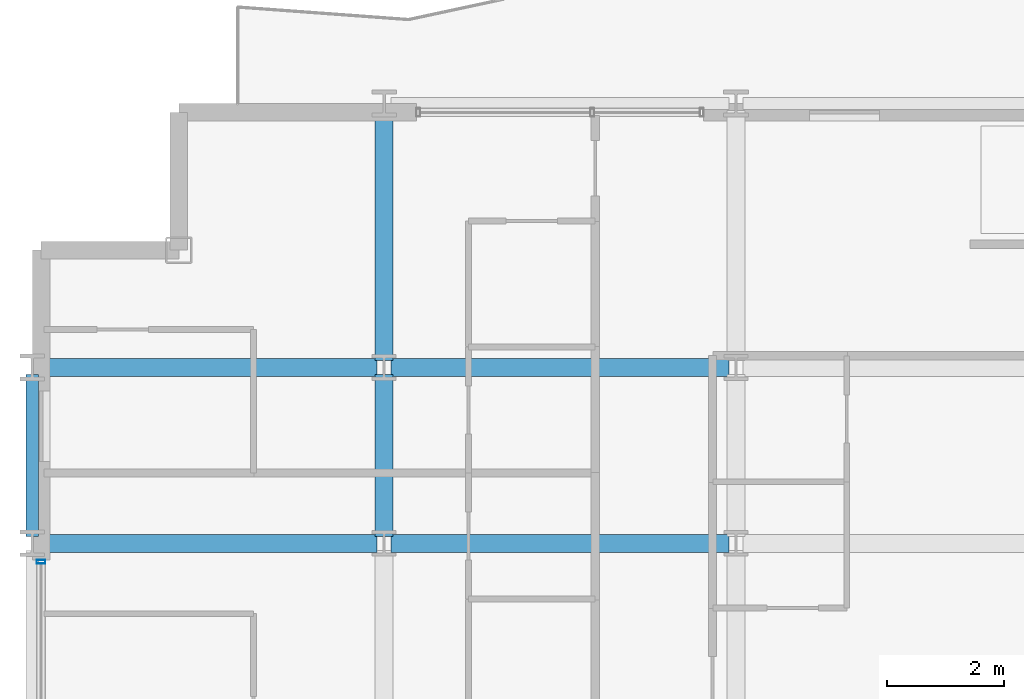
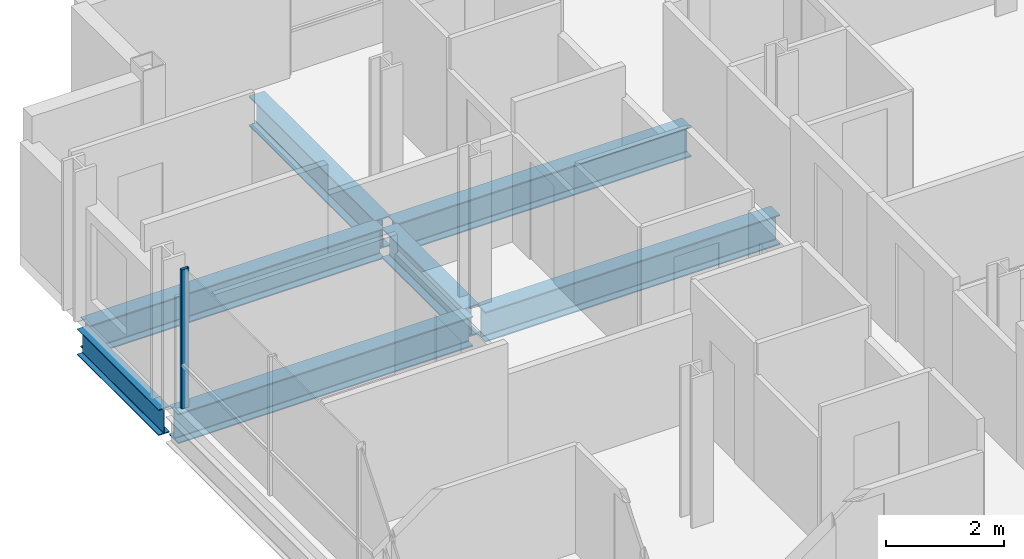
# One storey, part 7 of 41: 7 beams, 1 member, 1 element without a shape of its own.
"""IFC4 building model written with IfcOpenShell, lengths in metres."""

import ifcopenshell
import ifcopenshell.guid

model = None  # the IFC model being written
_history = None  # IfcOwnerHistory: only IFC2X3 demands one
_inside = {}  # id of a spatial element -> (the spatial element, [elements in it])
_under = {}  # id of a project, library or spatial element -> (it, [spatial elements below it])
_declared = {}  # id of a project -> (the project, [libraries it declares])
_typed = {}  # id of a type object -> (the type object, [elements of that type])
_made_of = {}  # id of a material, layer set ... -> (it, [elements and type objects made of it])


def new_model(schema):
    """Start an empty IFC model of exactly this schema.

    Asked for "IFC4X3", IfcOpenShell would pick the latest addendum, in which some entities
    have other attributes; the version numbers below select the first issue.
    IFC2X3 requires an IfcOwnerHistory on every rooted entity: one is made here for all.
    """
    global model, _history
    if schema == "IFC4X3":
        model = ifcopenshell.file(schema_version=(4, 3, 0, 0))
    else:
        model = ifcopenshell.file(schema=schema)
    _inside.clear()
    _under.clear()
    _declared.clear()
    _typed.clear()
    _made_of.clear()
    _history = None
    if model.schema == "IFC2X3":
        org = make("IfcOrganization", Name="unknown")
        user = make(
            "IfcPersonAndOrganization",
            ThePerson=make("IfcPerson", FamilyName="unknown"),
            TheOrganization=org,
        )
        app = make(
            "IfcApplication",
            ApplicationDeveloper=org,
            Version="unknown",
            ApplicationFullName="unknown",
            ApplicationIdentifier="unknown",
        )
        _history = make(
            "IfcOwnerHistory",
            OwningUser=user,
            OwningApplication=app,
            ChangeAction="ADDED",
            CreationDate=0,
        )
    return model


def make(cls, **values):
    """One entity of the class cls with the attributes given. An attribute that is None is left unset."""
    return model.create_entity(
        cls, **{name: value for name, value in values.items() if value is not None}
    )


def rooted(cls, **values):
    """An entity with a GlobalId (a new one), such as an element, a storey or a relation."""
    return make(cls, GlobalId=ifcopenshell.guid.new(), OwnerHistory=_history, **values)


def si_unit(unit_type, name, prefix=None):
    """IfcSIUnit, for example si_unit("LENGTHUNIT", "METRE", prefix="MILLI")."""
    return make("IfcSIUnit", UnitType=unit_type, Prefix=prefix, Name=name)


def assignment(units):
    """IfcUnitAssignment: the units of a project."""
    return None if units is None else make("IfcUnitAssignment", Units=units)


def point(xyz):
    """IfcCartesianPoint."""
    return None if xyz is None else make("IfcCartesianPoint", Coordinates=xyz)


def direction(xyz):
    """IfcDirection."""
    return None if xyz is None else make("IfcDirection", DirectionRatios=xyz)


def frame(location, z_axis=None, x_axis=None):
    """IfcAxis2Placement3D, a coordinate frame: its origin and axes. An axis left out is left unset."""
    return make(
        "IfcAxis2Placement3D",
        Location=point(location),
        Axis=direction(z_axis),
        RefDirection=direction(x_axis),
    )


def frame_2d(location, x_axis=None):
    """IfcAxis2Placement2D, a coordinate frame in the plane: its origin and x axis."""
    return make(
        "IfcAxis2Placement2D", Location=point(location), RefDirection=direction(x_axis)
    )


def origin():
    """The frame at (0, 0, 0) with its axes left unset."""
    return frame((0.0, 0.0, 0.0))


def origin_2d():
    """The frame at (0, 0) in the plane with its x axis left unset."""
    return frame_2d((0.0, 0.0))


def place(relative_to, where):
    """IfcLocalPlacement: puts the frame where relative to a parent placement (None: the world)."""
    return make(
        "IfcLocalPlacement", PlacementRelTo=relative_to, RelativePlacement=where
    )


def context(
    kind, dimensions, precision=None, world=None, true_north=None, identifier=None
):
    """IfcGeometricRepresentationContext, for example the 3D "Model" context."""
    return make(
        "IfcGeometricRepresentationContext",
        ContextIdentifier=identifier,
        ContextType=kind,
        CoordinateSpaceDimension=dimensions,
        Precision=precision,
        WorldCoordinateSystem=world,
        TrueNorth=true_north,
    )


def subcontext(parent, identifier, kind, view, scale=None):
    """IfcGeometricRepresentationSubContext, for example "Body" below "Model"."""
    return make(
        "IfcGeometricRepresentationSubContext",
        ContextIdentifier=identifier,
        ContextType=kind,
        ParentContext=parent,
        TargetScale=scale,
        TargetView=view,
    )


def project(units=None, contexts=None):
    """IfcProject with its units and contexts."""
    return rooted(
        "IfcProject",
        Name="project",
        RepresentationContexts=contexts,
        UnitsInContext=assignment(units),
    )


def spatial(cls, under=None, at=None, **own):
    """A site, building, storey or space (cls), placed at a placement, below another one or the project."""
    s = rooted(cls, ObjectPlacement=at, **own)
    if under is not None:
        _under.setdefault(under.id(), (under, []))[1].append(s)
    return s


def profile(cls, at=None, kind="AREA", **sizes):
    """A parametric profile (cls). Its sizes go by their IFC names, for example OverallWidth=200.0."""
    return make(cls, ProfileType=kind, Position=at, **sizes)


def hollow_rectangle(**sizes):
    """IfcRectangleHollowProfileDef."""
    return profile("IfcRectangleHollowProfileDef", **sizes)


def i_section(**sizes):
    """IfcIShapeProfileDef."""
    return profile("IfcIShapeProfileDef", **sizes)


def extrude(swept, where, along, depth):
    """IfcExtrudedAreaSolid: the profile swept, set in the frame where, extruded along a direction by depth."""
    return make(
        "IfcExtrudedAreaSolid",
        SweptArea=swept,
        Position=where,
        ExtrudedDirection=direction(along),
        Depth=depth,
    )


def shape(context_of_items, identifier, shape_type, items):
    """IfcShapeRepresentation: the items that make up one representation, for example the "Body"."""
    return make(
        "IfcShapeRepresentation",
        ContextOfItems=context_of_items,
        RepresentationIdentifier=identifier,
        RepresentationType=shape_type,
        Items=items,
    )


def material(Name=None, Category=None):
    """IfcMaterial."""
    return make("IfcMaterial", Name=Name, Category=Category)


def layer(
    of_material, thickness, ventilated=None, Name=None, Category=None, Priority=None
):
    """IfcMaterialLayer: one layer of a wall or slab, of a material (None: an air gap)."""
    return make(
        "IfcMaterialLayer",
        Material=of_material,
        LayerThickness=thickness,
        IsVentilated=ventilated,
        Name=Name,
        Category=Category,
        Priority=Priority,
    )


def layer_set(layers, Name=None):
    """IfcMaterialLayerSet."""
    return make("IfcMaterialLayerSet", MaterialLayers=layers, LayerSetName=Name)


def material_profile(
    of_material, cross_section, Name=None, Category=None, Priority=None
):
    """IfcMaterialProfile: a cross section and its material."""
    return make(
        "IfcMaterialProfile",
        Name=Name,
        Material=of_material,
        Profile=cross_section,
        Priority=Priority,
        Category=Category,
    )


def profile_set(profiles, Name=None, composite=None):
    """IfcMaterialProfileSet."""
    return make(
        "IfcMaterialProfileSet",
        Name=Name,
        MaterialProfiles=profiles,
        CompositeProfile=composite,
    )


def made_of(thing, what):
    """Note that an element or type object is made of a material, layer set ...; save() writes the relation."""
    if what is not None:
        _made_of.setdefault(what.id(), (what, []))[1].append(thing)
    return thing


def type_object(cls, material=None, **own):
    """A type object (cls), such as IfcWallType, which elements share."""
    return made_of(rooted(cls, **own), material)


def element(
    cls,
    number,
    at=None,
    inside=None,
    cuts=None,
    type_object=None,
    material=None,
    context=None,
    identifier="Body",
    shape_type=None,
    held_by="IfcProductDefinitionShape",
    body=None,
    shapes=None,
    **own,
):
    """One element of the class cls, such as IfcWall. Its Tag is "e" and its number.

    at: its placement. inside: the storey or other place that contains it. cuts: it is an
    opening in that element (IfcRelVoidsElement). A single representation is given by context,
    identifier, shape_type and body (its items); several are given by shapes. held_by: the class
    of the entity that holds the representations. save() writes the other relations.
    """
    e = rooted(cls, Tag="e%d" % number, ObjectPlacement=at, **own)
    if body is not None:
        shapes = [shape(context, identifier, shape_type, body)]
    if shapes is not None:
        e.Representation = make(held_by, Representations=shapes)
    if inside is not None:
        _inside.setdefault(inside.id(), (inside, []))[1].append(e)
    if cuts is not None:
        rooted(
            "IfcRelVoidsElement", RelatingBuildingElement=cuts, RelatedOpeningElement=e
        )
    if type_object is not None:
        _typed.setdefault(type_object.id(), (type_object, []))[1].append(e)
    return made_of(e, material)


def aggregate(whole, parts):
    """IfcRelAggregates: a whole, such as a stair, and the parts it consists of."""
    return rooted("IfcRelAggregates", RelatingObject=whole, RelatedObjects=parts)


def save(model, path):
    """Write the relations noted so far, then the file.

    IfcRelAggregates (storeys below a building ...), IfcRelContainedInSpatialStructure (elements
    in a storey), IfcRelDefinesByType, IfcRelAssociatesMaterial and IfcRelDeclares: one each for
    every whole, place, type object, material and project.
    """
    for whole, parts in _under.values():
        aggregate(whole, parts)
    for where, things in _inside.values():
        rooted(
            "IfcRelContainedInSpatialStructure",
            RelatedElements=things,
            RelatingStructure=where,
        )
    for kind, things in _typed.values():
        rooted("IfcRelDefinesByType", RelatedObjects=things, RelatingType=kind)
    for what, things in _made_of.values():
        rooted("IfcRelAssociatesMaterial", RelatedObjects=things, RelatingMaterial=what)
    for by, libraries in _declared.values():
        rooted("IfcRelDeclares", RelatingContext=by, RelatedDefinitions=libraries)
    model.write(path)


model = new_model("IFC4")

# Units and contexts
model_context = context("Model", 3, precision=1e-05, world=origin(), true_north=direction((0.0, 1.0)))
body_context = subcontext(model_context, "Body", "Model", "MODEL_VIEW")
ifc_project = project(units=[si_unit("LENGTHUNIT", "METRE"), si_unit("AREAUNIT", "SQUARE_METRE"), si_unit("VOLUMEUNIT", "CUBIC_METRE"), si_unit("PLANEANGLEUNIT", "RADIAN"), si_unit("MASSUNIT", "GRAM", prefix="KILO")], contexts=[model_context])

# Site, building, storey
site_placement = place(None, origin())
site = spatial("IfcSite", under=ifc_project, at=site_placement, CompositionType="ELEMENT")
building_placement = place(site_placement, origin())
building = spatial("IfcBuilding", under=site, at=building_placement, Name="Brevholm Reach", CompositionType="ELEMENT")
storey_placement = place(building_placement, frame((0.0, 0.0, 86.89990234375)))
storey = spatial("IfcBuildingStorey", under=building, at=storey_placement, Name="L25", CompositionType="ELEMENT", Elevation=86.89990234375)

# Beams
ifc_material_1 = material(Name="Structural Steel S355J2", Category="steel")
ifc_material_profile_1 = material_profile(ifc_material_1, i_section(OverallWidth=0.210693359375, OverallDepth=0.53955078125, WebThickness=0.01171875, FlangeThickness=0.018798828125, FilletRadius=0.0126953125, at=origin_2d()), Name="UKB 533x210x109")
ifc_profile_set_1 = profile_set([ifc_material_profile_1], Name="Structural Steel S355J2")
beam_type_1 = type_object("IfcBeamType", Name="BM-SP539", PredefinedType="SPANDREL", material=ifc_profile_set_1)
beam_1_placement = place(storey_placement, frame((0.0, 23.6201171875, -0.499755859375), z_axis=(0.0, 1.0, 0.0), x_axis=(-1.0, 0.0, 0.0)))
element("IfcBeam", 1, at=beam_1_placement, inside=storey, type_object=beam_type_1, Name="L25 SP-01B Framing Beam", PredefinedType="SPANDREL", context=body_context, shape_type="SweptSolid", body=[
    extrude(i_section(OverallWidth=0.210693359375, OverallDepth=0.53955078125, WebThickness=0.01171875, FlangeThickness=0.018798828125, FilletRadius=0.0126953125, at=origin_2d()), origin(), (0.0, 0.0, 1.0), 2.759765625),
])
ifc_material_2 = material(Name="Structural Steel S355J2", Category="steel")
ifc_material_profile_2 = material_profile(ifc_material_2, i_section(OverallWidth=0.30712890625, OverallDepth=0.6201171875, WebThickness=0.01416015625, FlangeThickness=0.023681640625, FilletRadius=0.0166015625, at=origin_2d()), Name="UKB 610x305x179")
ifc_profile_set_2 = profile_set([ifc_material_profile_2], Name="Structural Steel S355J2")
beam_type_2 = type_object("IfcBeamType", Name="BM-UKB610H", PredefinedType="USERDEFINED", material=ifc_profile_set_2)
for number, where, z_axis, x_axis, name in (
    (2, (0.1201171875, 23.5, -0.5400390625), (1.0, 0.0, 0.0), (0.0, 1.0, 0.0), "L25 G-06 Framing Beam"),
    (3, (6.1201171875, 23.5, -0.5400390625), (1.0, 0.0, 0.0), (0.0, 1.0, 0.0), "L25 G-06 Framing Beam"),
    (4, (0.1201171875, 26.5, -0.5400390625), (1.0, 0.0, 0.0), (0.0, 1.0, 0.0), "L25 G-06 Framing Beam"),
    (5, (6.1201171875, 26.5, -0.5400390625), (1.0, 0.0, 0.0), (0.0, 1.0, 0.0), "L25 G-06 Framing Beam"),
):
    element("IfcBeam", number, at=place(storey_placement, frame(where, z_axis=z_axis, x_axis=x_axis)), inside=storey, type_object=beam_type_2, Name=name, ObjectType="GIRDER", PredefinedType="USERDEFINED", context=body_context, shape_type="SweptSolid", body=[
        extrude(i_section(OverallWidth=0.30712890625, OverallDepth=0.6201171875, WebThickness=0.01416015625, FlangeThickness=0.023681640625, FilletRadius=0.0166015625, at=origin_2d()), origin(), (0.0, 0.0, 1.0), 5.759765625),
    ])
beam_2_placement = place(storey_placement, frame((6.0, 23.6201171875, -0.5400390625), z_axis=(0.0, 1.0, 0.0), x_axis=(-1.0, 0.0, 0.0)))
element("IfcBeam", 6, at=beam_2_placement, inside=storey, type_object=beam_type_2, Name="L25 G-06 Framing Beam", ObjectType="GIRDER", PredefinedType="USERDEFINED", context=body_context, shape_type="SweptSolid", body=[
    extrude(i_section(OverallWidth=0.30712890625, OverallDepth=0.6201171875, WebThickness=0.01416015625, FlangeThickness=0.023681640625, FilletRadius=0.0166015625, at=origin_2d()), origin(), (0.0, 0.0, 1.0), 2.759765625),
])
beam_3_placement = place(storey_placement, frame((6.0, 26.6201171875, -0.5400390625), z_axis=(0.0, 1.0, 0.0), x_axis=(-1.0, 0.0, 0.0)))
element("IfcBeam", 7, at=beam_3_placement, inside=storey, type_object=beam_type_2, Name="L25 G-06 Framing Beam", ObjectType="GIRDER", PredefinedType="USERDEFINED", context=body_context, shape_type="SweptSolid", body=[
    extrude(i_section(OverallWidth=0.30712890625, OverallDepth=0.6201171875, WebThickness=0.01416015625, FlangeThickness=0.023681640625, FilletRadius=0.0166015625, at=origin_2d()), origin(), (0.0, 0.0, 1.0), 4.259765625),
])

# Curtain wall, member
ifc_material_3 = material(Name="Dark Anodised Aluminium 6063-T6 and Solar-Control Glass", Category="aluminium")
ifc_layer = layer(ifc_material_3, 0.14990234375)
ifc_layer_set = layer_set([ifc_layer], Name="Dark Anodised Aluminium 6063-T6 and Solar-Control Glass")
curtain_wall_type = type_object("IfcCurtainWallType", Name="CW-01", PredefinedType="NOTDEFINED", material=ifc_layer_set)
curtain_wall_placement = place(storey_placement, origin())
curtain_wall = element("IfcCurtainWall", 8, at=curtain_wall_placement, inside=storey, type_object=curtain_wall_type, Name="L25 Curtain Wall CW-01", PredefinedType="NOTDEFINED")
ifc_material_4 = material(Name="Dark Anodised Aluminium 6063-T6", Category="aluminium")
ifc_material_profile_3 = material_profile(ifc_material_4, hollow_rectangle(XDim=0.06494140625, YDim=0.14990234375, WallThickness=0.0048828125, InnerFilletRadius=0.0048828125, OuterFilletRadius=0.010009765625, at=origin_2d()), Name="RHS 150x65x5")
ifc_profile_set_3 = profile_set([ifc_material_profile_3], Name="Dark Anodised Aluminium 6063-T6")
member_type = type_object("IfcMemberType", Name="CWM-150", PredefinedType="MULLION", material=ifc_profile_set_3)
member_placement = place(storey_placement, frame((0.14990234375, 23.1875, 0.0), z_axis=(0.0, 0.0, 1.0), x_axis=(0.0, -1.0, 0.0)))
member = element("IfcMember", 9, at=member_placement, type_object=member_type, Name="CM-150 Mullion 1", PredefinedType="MULLION", context=body_context, shape_type="SweptSolid", body=[
    extrude(hollow_rectangle(XDim=0.06494140625, YDim=0.14990234375, WallThickness=0.0048828125, InnerFilletRadius=0.0048828125, OuterFilletRadius=0.010009765625, at=origin_2d()), origin(), (0.0, 0.0, 1.0), 2.8701171875),
])
aggregate(curtain_wall, [member])

save(model, "model.ifc")
